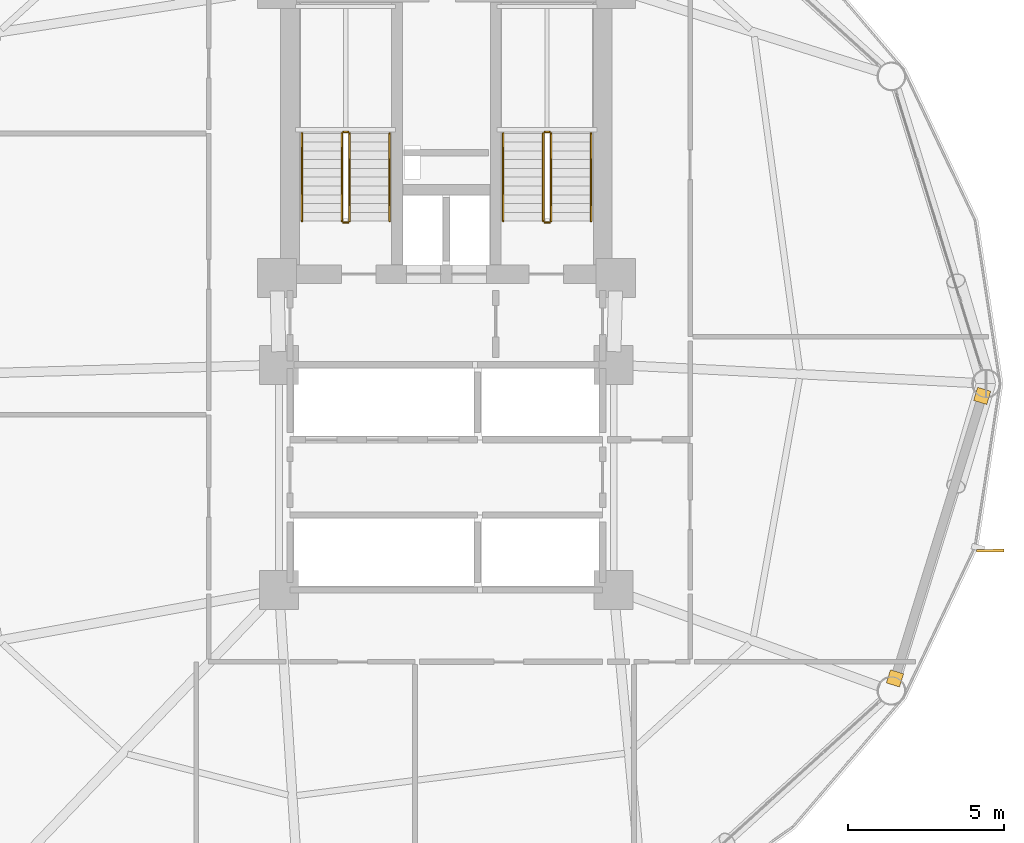
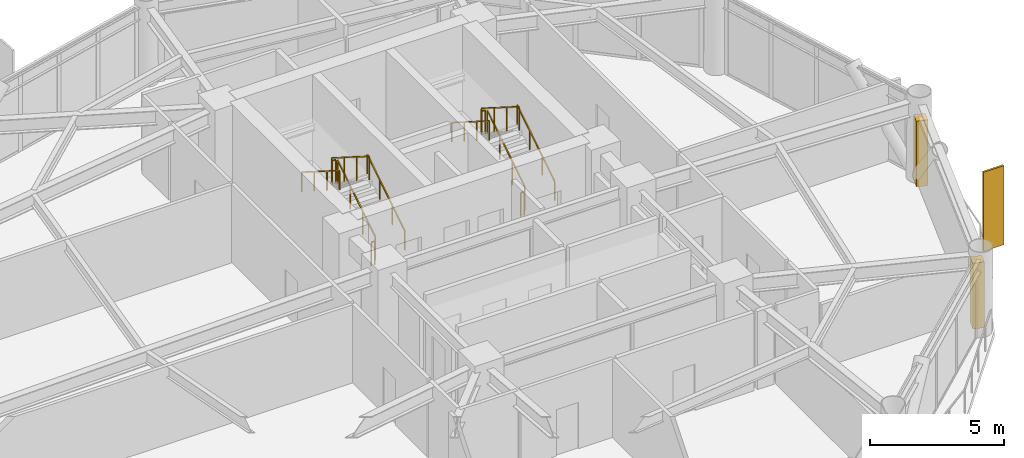
# One storey, part 24 of 25: 12 railings, 2 coverings, 1 shading device.
"""IFC4 building model written with IfcOpenShell, lengths in metres."""

from ifc_helpers import new_model, si_unit, direction, frame, origin, origin_2d, place, context, subcontext, project, spatial, rectangle, extrude, source, transform, mapped, material, layer, layer_set, type_object, type_shapes, element, save


model = new_model("IFC4")

# Units and contexts
model_context = context("Model", 3, precision=1e-05, world=origin(), true_north=direction((0.0, 1.0)))
body_context = subcontext(model_context, "Body", "Model", "MODEL_VIEW")
ifc_project = project(units=[si_unit("LENGTHUNIT", "METRE"), si_unit("AREAUNIT", "SQUARE_METRE"), si_unit("VOLUMEUNIT", "CUBIC_METRE"), si_unit("PLANEANGLEUNIT", "RADIAN"), si_unit("MASSUNIT", "GRAM", prefix="KILO")], contexts=[model_context])

# Site, building, storey
site_placement = place(None, origin())
site = spatial("IfcSite", under=ifc_project, at=site_placement, CompositionType="ELEMENT")
building_placement = place(site_placement, origin())
building = spatial("IfcBuilding", under=site, at=building_placement, Name="Varnakorn Sky Granary", CompositionType="ELEMENT")
storey_placement = place(building_placement, frame((0.0, 0.0, 74.39990234375)))
storey = spatial("IfcBuildingStorey", under=building, at=storey_placement, Name="L18", CompositionType="ELEMENT", Elevation=74.39990234375)

# Railings
ifc_material_1 = material(Name="Brushed Stainless Steel 316", Category="steel")
railing_type_1 = type_object("IfcRailingType", Name="RL-STAIR-1100", PredefinedType="GUARDRAIL", material=ifc_material_1)
railing_1_placement = place(storey_placement, frame((-0.090087890625, 5.199951171875, 0.177490234375)))
element("IfcRailing", 1, at=railing_1_placement, inside=storey, type_object=railing_type_1, Name="L18 ST-1 stair guard 1", PredefinedType="GUARDRAIL", context=body_context, shape_type="SweptSolid", body=[
    extrude(rectangle(XDim=0.048095703125, YDim=0.048095703125, at=origin_2d()), frame((0.0, 0.0, 1.076171875), z_axis=(0.0, 0.844908973607, 0.534910110503), x_axis=(-1.0, 0.0, 0.0)), (0.0, 0.0, 1.0), 3.31396484375),
    extrude(rectangle(XDim=0.0419921875, YDim=0.0419921875, at=origin_2d()), origin(), (0.0, 0.0, 1.0), 1.048095703125),
    extrude(rectangle(XDim=0.0419921875, YDim=0.0419921875, at=origin_2d()), frame((0.0, 0.933349609375, 0.5908203125)), (0.0, 0.0, 1.0), 1.048095703125),
    extrude(rectangle(XDim=0.0419921875, YDim=0.0419921875, at=origin_2d()), frame((0.0, 1.86669921875, 1.181884765625)), (0.0, 0.0, 1.0), 1.048095703125),
    extrude(rectangle(XDim=0.0419921875, YDim=0.0419921875, at=origin_2d()), frame((0.0, 2.800048828125, 1.772705078125)), (0.0, 0.0, 1.0), 1.048095703125),
])
railing_2_placement = place(storey_placement, frame((-0.139892578125, 8.050048828125, 1.9501953125)))
element("IfcRailing", 2, at=railing_2_placement, inside=storey, type_object=railing_type_1, Name="L18 ST-1 stair guard 2", PredefinedType="GUARDRAIL", context=body_context, shape_type="SweptSolid", body=[
    extrude(rectangle(XDim=0.048095703125, YDim=0.048095703125, at=origin_2d()), frame((0.0, 0.0, 1.076171875), z_axis=(-1.0, 0.0, 0.0), x_axis=(0.0, -1.0, 0.0)), (0.0, 0.0, 1.0), 0.150146484375),
    extrude(rectangle(XDim=0.0419921875, YDim=0.0419921875, at=origin_2d()), origin(), (0.0, 0.0, 1.0), 1.048095703125),
    extrude(rectangle(XDim=0.0419921875, YDim=0.0419921875, at=origin_2d()), frame((-0.150146484375, 0.0, 0.0)), (0.0, 0.0, 1.0), 1.048095703125),
])
railing_3_placement = place(storey_placement, frame((-0.340087890625, 8.0, 2.12744140625)))
element("IfcRailing", 3, at=railing_3_placement, inside=storey, type_object=railing_type_1, Name="L18 ST-1 stair guard 3", PredefinedType="GUARDRAIL", context=body_context, shape_type="SweptSolid", body=[
    extrude(rectangle(XDim=0.048095703125, YDim=0.048095703125, at=origin_2d()), frame((0.0, 0.0, 1.076171875), z_axis=(0.0, -0.844908973607, 0.534910110503), x_axis=(1.0, 0.0, 0.0)), (0.0, 0.0, 1.0), 3.31396484375),
    extrude(rectangle(XDim=0.0419921875, YDim=0.0419921875, at=origin_2d()), origin(), (0.0, 0.0, 1.0), 1.048095703125),
    extrude(rectangle(XDim=0.0419921875, YDim=0.0419921875, at=origin_2d()), frame((0.0, -0.933349609375, 0.5908203125)), (0.0, 0.0, 1.0), 1.048095703125),
    extrude(rectangle(XDim=0.0419921875, YDim=0.0419921875, at=origin_2d()), frame((0.0, -1.86669921875, 1.181884765625)), (0.0, 0.0, 1.0), 1.048095703125),
    extrude(rectangle(XDim=0.0419921875, YDim=0.0419921875, at=origin_2d()), frame((0.0, -2.800048828125, 1.772705078125)), (0.0, 0.0, 1.0), 1.048095703125),
])
railing_4_placement = place(storey_placement, frame((-0.139892578125, 5.14990234375, 0.0)))
element("IfcRailing", 4, at=railing_4_placement, inside=storey, type_object=railing_type_1, Name="L18 ST-1 stair guard 4", PredefinedType="GUARDRAIL", context=body_context, shape_type="SweptSolid", body=[
    extrude(rectangle(XDim=0.048095703125, YDim=0.048095703125, at=origin_2d()), frame((0.0, 0.0, 1.076171875), z_axis=(-1.0, 0.0, 0.0), x_axis=(0.0, -1.0, 0.0)), (0.0, 0.0, 1.0), 0.150146484375),
    extrude(rectangle(XDim=0.0419921875, YDim=0.0419921875, at=origin_2d()), origin(), (0.0, 0.0, 1.0), 1.048095703125),
    extrude(rectangle(XDim=0.0419921875, YDim=0.0419921875, at=origin_2d()), frame((-0.150146484375, 0.0, 0.0)), (0.0, 0.0, 1.0), 1.048095703125),
])
railing_5_placement = place(storey_placement, frame((6.35009765625, 5.199951171875, 0.177490234375)))
element("IfcRailing", 5, at=railing_5_placement, inside=storey, type_object=railing_type_1, Name="L18 ST-2 stair guard 1", PredefinedType="GUARDRAIL", context=body_context, shape_type="SweptSolid", body=[
    extrude(rectangle(XDim=0.048095703125, YDim=0.048095703125, at=origin_2d()), frame((0.0, 0.0, 1.076171875), z_axis=(0.0, 0.844908973607, 0.534910110503), x_axis=(-1.0, 0.0, 0.0)), (0.0, 0.0, 1.0), 3.31396484375),
    extrude(rectangle(XDim=0.0419921875, YDim=0.0419921875, at=origin_2d()), origin(), (0.0, 0.0, 1.0), 1.048095703125),
    extrude(rectangle(XDim=0.0419921875, YDim=0.0419921875, at=origin_2d()), frame((0.0, 0.933349609375, 0.5908203125)), (0.0, 0.0, 1.0), 1.048095703125),
    extrude(rectangle(XDim=0.0419921875, YDim=0.0419921875, at=origin_2d()), frame((0.0, 1.86669921875, 1.181884765625)), (0.0, 0.0, 1.0), 1.048095703125),
    extrude(rectangle(XDim=0.0419921875, YDim=0.0419921875, at=origin_2d()), frame((0.0, 2.800048828125, 1.772705078125)), (0.0, 0.0, 1.0), 1.048095703125),
])
railing_6_placement = place(storey_placement, frame((6.300048828125, 8.050048828125, 1.9501953125)))
element("IfcRailing", 6, at=railing_6_placement, inside=storey, type_object=railing_type_1, Name="L18 ST-2 stair guard 2", PredefinedType="GUARDRAIL", context=body_context, shape_type="SweptSolid", body=[
    extrude(rectangle(XDim=0.048095703125, YDim=0.048095703125, at=origin_2d()), frame((0.0, 0.0, 1.076171875), z_axis=(-1.0, 0.0, 0.0), x_axis=(0.0, -1.0, 0.0)), (0.0, 0.0, 1.0), 0.150146484375),
    extrude(rectangle(XDim=0.0419921875, YDim=0.0419921875, at=origin_2d()), origin(), (0.0, 0.0, 1.0), 1.048095703125),
    extrude(rectangle(XDim=0.0419921875, YDim=0.0419921875, at=origin_2d()), frame((-0.150146484375, 0.0, 0.0)), (0.0, 0.0, 1.0), 1.048095703125),
])
railing_7_placement = place(storey_placement, frame((6.10009765625, 8.0, 2.12744140625)))
element("IfcRailing", 7, at=railing_7_placement, inside=storey, type_object=railing_type_1, Name="L18 ST-2 stair guard 3", PredefinedType="GUARDRAIL", context=body_context, shape_type="SweptSolid", body=[
    extrude(rectangle(XDim=0.048095703125, YDim=0.048095703125, at=origin_2d()), frame((0.0, 0.0, 1.076171875), z_axis=(0.0, -0.844908973607, 0.534910110503), x_axis=(1.0, 0.0, 0.0)), (0.0, 0.0, 1.0), 3.31396484375),
    extrude(rectangle(XDim=0.0419921875, YDim=0.0419921875, at=origin_2d()), origin(), (0.0, 0.0, 1.0), 1.048095703125),
    extrude(rectangle(XDim=0.0419921875, YDim=0.0419921875, at=origin_2d()), frame((0.0, -0.933349609375, 0.5908203125)), (0.0, 0.0, 1.0), 1.048095703125),
    extrude(rectangle(XDim=0.0419921875, YDim=0.0419921875, at=origin_2d()), frame((0.0, -1.86669921875, 1.181884765625)), (0.0, 0.0, 1.0), 1.048095703125),
    extrude(rectangle(XDim=0.0419921875, YDim=0.0419921875, at=origin_2d()), frame((0.0, -2.800048828125, 1.772705078125)), (0.0, 0.0, 1.0), 1.048095703125),
])
railing_8_placement = place(storey_placement, frame((6.300048828125, 5.14990234375, 0.0)))
element("IfcRailing", 8, at=railing_8_placement, inside=storey, type_object=railing_type_1, Name="L18 ST-2 stair guard 4", PredefinedType="GUARDRAIL", context=body_context, shape_type="SweptSolid", body=[
    extrude(rectangle(XDim=0.048095703125, YDim=0.048095703125, at=origin_2d()), frame((0.0, 0.0, 1.076171875), z_axis=(-1.0, 0.0, 0.0), x_axis=(0.0, -1.0, 0.0)), (0.0, 0.0, 1.0), 0.150146484375),
    extrude(rectangle(XDim=0.0419921875, YDim=0.0419921875, at=origin_2d()), origin(), (0.0, 0.0, 1.0), 1.048095703125),
    extrude(rectangle(XDim=0.0419921875, YDim=0.0419921875, at=origin_2d()), frame((-0.150146484375, 0.0, 0.0)), (0.0, 0.0, 1.0), 1.048095703125),
])
railing_type_2 = type_object("IfcRailingType", Name="RL-STAIR-920", PredefinedType="HANDRAIL", material=ifc_material_1)
railing_9_placement = place(storey_placement, frame((1.18994140625, 5.199951171875, 0.177490234375)))
element("IfcRailing", 9, at=railing_9_placement, inside=storey, type_object=railing_type_2, Name="L18 ST-1 stair handrail 1", PredefinedType="HANDRAIL", context=body_context, shape_type="SweptSolid", body=[
    extrude(rectangle(XDim=0.048095703125, YDim=0.048095703125, at=origin_2d()), frame((0.0, 0.0, 0.8759765625), z_axis=(0.0, 0.844908973607, 0.534910110503), x_axis=(-1.0, 0.0, 0.0)), (0.0, 0.0, 1.0), 3.31396484375),
    extrude(rectangle(XDim=0.0419921875, YDim=0.0419921875, at=origin_2d()), origin(), (0.0, 0.0, 1.0), 0.847900390625),
    extrude(rectangle(XDim=0.0419921875, YDim=0.0419921875, at=origin_2d()), frame((0.0, 0.933349609375, 0.5908203125)), (0.0, 0.0, 1.0), 0.847900390625),
    extrude(rectangle(XDim=0.0419921875, YDim=0.0419921875, at=origin_2d()), frame((0.0, 1.86669921875, 1.181884765625)), (0.0, 0.0, 1.0), 0.847900390625),
    extrude(rectangle(XDim=0.0419921875, YDim=0.0419921875, at=origin_2d()), frame((0.0, 2.800048828125, 1.772705078125)), (0.0, 0.0, 1.0), 0.847900390625),
])
railing_10_placement = place(storey_placement, frame((-1.6201171875, 8.0, 2.12744140625)))
element("IfcRailing", 10, at=railing_10_placement, inside=storey, type_object=railing_type_2, Name="L18 ST-1 stair handrail 2", PredefinedType="HANDRAIL", context=body_context, shape_type="SweptSolid", body=[
    extrude(rectangle(XDim=0.048095703125, YDim=0.048095703125, at=origin_2d()), frame((0.0, 0.0, 0.8759765625), z_axis=(0.0, -0.844908973607, 0.534910110503), x_axis=(1.0, 0.0, 0.0)), (0.0, 0.0, 1.0), 3.31396484375),
    extrude(rectangle(XDim=0.0419921875, YDim=0.0419921875, at=origin_2d()), origin(), (0.0, 0.0, 1.0), 0.847900390625),
    extrude(rectangle(XDim=0.0419921875, YDim=0.0419921875, at=origin_2d()), frame((0.0, -0.933349609375, 0.5908203125)), (0.0, 0.0, 1.0), 0.847900390625),
    extrude(rectangle(XDim=0.0419921875, YDim=0.0419921875, at=origin_2d()), frame((0.0, -1.86669921875, 1.181884765625)), (0.0, 0.0, 1.0), 0.847900390625),
    extrude(rectangle(XDim=0.0419921875, YDim=0.0419921875, at=origin_2d()), frame((0.0, -2.800048828125, 1.772705078125)), (0.0, 0.0, 1.0), 0.847900390625),
])
railing_11_placement = place(storey_placement, frame((7.6298828125, 5.199951171875, 0.177490234375)))
element("IfcRailing", 11, at=railing_11_placement, inside=storey, type_object=railing_type_2, Name="L18 ST-2 stair handrail 1", PredefinedType="HANDRAIL", context=body_context, shape_type="SweptSolid", body=[
    extrude(rectangle(XDim=0.048095703125, YDim=0.048095703125, at=origin_2d()), frame((0.0, 0.0, 0.8759765625), z_axis=(0.0, 0.844908973607, 0.534910110503), x_axis=(-1.0, 0.0, 0.0)), (0.0, 0.0, 1.0), 3.31396484375),
    extrude(rectangle(XDim=0.0419921875, YDim=0.0419921875, at=origin_2d()), origin(), (0.0, 0.0, 1.0), 0.847900390625),
    extrude(rectangle(XDim=0.0419921875, YDim=0.0419921875, at=origin_2d()), frame((0.0, 0.933349609375, 0.5908203125)), (0.0, 0.0, 1.0), 0.847900390625),
    extrude(rectangle(XDim=0.0419921875, YDim=0.0419921875, at=origin_2d()), frame((0.0, 1.86669921875, 1.181884765625)), (0.0, 0.0, 1.0), 0.847900390625),
    extrude(rectangle(XDim=0.0419921875, YDim=0.0419921875, at=origin_2d()), frame((0.0, 2.800048828125, 1.772705078125)), (0.0, 0.0, 1.0), 0.847900390625),
])
railing_12_placement = place(storey_placement, frame((4.820068359375, 8.0, 2.12744140625)))
element("IfcRailing", 12, at=railing_12_placement, inside=storey, type_object=railing_type_2, Name="L18 ST-2 stair handrail 2", PredefinedType="HANDRAIL", context=body_context, shape_type="SweptSolid", body=[
    extrude(rectangle(XDim=0.048095703125, YDim=0.048095703125, at=origin_2d()), frame((0.0, 0.0, 0.8759765625), z_axis=(0.0, -0.844908973607, 0.534910110503), x_axis=(1.0, 0.0, 0.0)), (0.0, 0.0, 1.0), 3.31396484375),
    extrude(rectangle(XDim=0.0419921875, YDim=0.0419921875, at=origin_2d()), origin(), (0.0, 0.0, 1.0), 0.847900390625),
    extrude(rectangle(XDim=0.0419921875, YDim=0.0419921875, at=origin_2d()), frame((0.0, -0.933349609375, 0.5908203125)), (0.0, 0.0, 1.0), 0.847900390625),
    extrude(rectangle(XDim=0.0419921875, YDim=0.0419921875, at=origin_2d()), frame((0.0, -1.86669921875, 1.181884765625)), (0.0, 0.0, 1.0), 0.847900390625),
    extrude(rectangle(XDim=0.0419921875, YDim=0.0419921875, at=origin_2d()), frame((0.0, -2.800048828125, 1.772705078125)), (0.0, 0.0, 1.0), 0.847900390625),
])

# Shading device
ifc_material_2 = material(Name="Anodised Bronze Aluminium Alloy 6063-T6", Category="aluminium")
shading_device_type = type_object("IfcShadingDeviceType", Name="SH-FIN-01", PredefinedType="USERDEFINED", material=ifc_material_2)
shared_shape_1 = source(origin(), body_context, "Body", "SweptSolid", [
    extrude(rectangle(XDim=0.0849609375, YDim=0.8798828125, at=origin_2d()), origin(), (0.0, 0.0, 1.0), 3.60009765625),
])
type_shapes(shading_device_type, [shared_shape_1])
shading_device_placement = place(storey_placement, frame((20.397705078125, -5.342529296875, -0.0400390625), z_axis=(0.0, 0.0, 1.0), x_axis=(-0.008570840272, 0.999963269674, 0.0)))
element("IfcShadingDevice", 13, at=shading_device_placement, inside=storey, type_object=shading_device_type, Name="Bronze Solar-Tracking Vertical Blade FIN L18-12", ObjectType="FIN", PredefinedType="USERDEFINED", context=body_context, shape_type="MappedRepresentation", body=[
    mapped(shared_shape_1, transform((0.0, 0.0, 0.0), x_axis=(1.0, 0.0, 0.0), y_axis=(0.0, 1.0, 0.0), z_axis=(0.0, 0.0, 1.0), scale=1.0)),
])

# Coverings
ifc_layer = layer(ifc_material_2, 0.050048828125, Name="Anodised Bronze Aluminium Alloy 6063-T6")
ifc_layer_set = layer_set([ifc_layer], Name="Anodised Bronze Aluminium Alloy 6063-T6")
covering_type = type_object("IfcCoveringType", Name="CV-CLAD-50", PredefinedType="CLADDING", material=ifc_layer_set)
shared_shape_2 = source(origin(), body_context, "Body", "SweptSolid", [
    extrude(rectangle(XDim=0.43994140625, YDim=0.43994140625, at=origin_2d()), origin(), (0.0, 0.0, 1.0), 2.989990234375),
])
type_shapes(covering_type, [shared_shape_2])
for number, where, z_axis, x_axis, name in (
    (14, (20.140380859375, -0.393798828125, -0.02001953125), (0.0, 0.0, 1.0), (-0.295041067928, -0.955484572474, 0.0), "Bronze Corner Pilaster Closure L18-P12-A"),
    (15, (17.35107421875, -9.42919921875, -0.02001953125), (0.0, 0.0, 1.0), (-0.295041067928, -0.955484572474, 0.0), "Bronze Corner Pilaster Closure L18-P12-B"),
):
    element("IfcCovering", number, at=place(storey_placement, frame(where, z_axis=z_axis, x_axis=x_axis)), inside=storey, type_object=covering_type, Name=name, PredefinedType="CLADDING", context=body_context, shape_type="MappedRepresentation", body=[
        mapped(shared_shape_2, transform((0.0, 0.0, 0.0), x_axis=(1.0, 0.0, 0.0), y_axis=(0.0, 1.0, 0.0), z_axis=(0.0, 0.0, 1.0), scale=1.0)),
    ])

save(model, "model.ifc")
